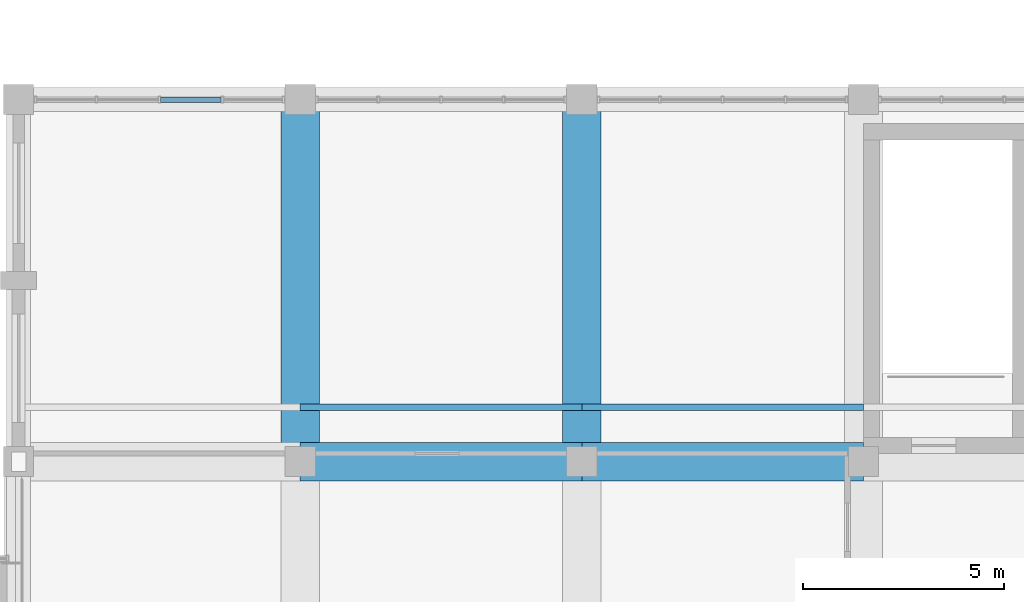
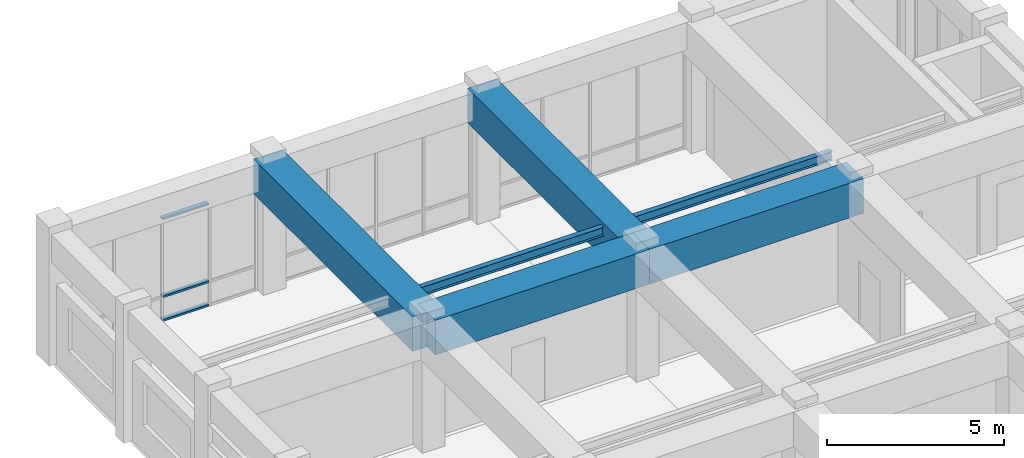
# One storey, part 56 of 99: 5 members, 4 beams, 1 element without a shape of its own.
"""IFC4 building model written with IfcOpenShell, lengths in metres."""

from ifc_helpers import new_model, si_unit, direction, frame, origin, origin_2d, place, context, subcontext, project, spatial, rectangle, hollow_rectangle, i_section, extrude, material, layer, layer_set, material_profile, profile_set, type_object, element, aggregate, save


model = new_model("IFC4")

# Units and contexts
model_context = context("Model", 3, precision=1e-05, world=origin(), true_north=direction((0.0, 1.0)))
body_context = subcontext(model_context, "Body", "Model", "MODEL_VIEW")
ifc_project = project(units=[si_unit("LENGTHUNIT", "METRE"), si_unit("AREAUNIT", "SQUARE_METRE"), si_unit("VOLUMEUNIT", "CUBIC_METRE"), si_unit("PLANEANGLEUNIT", "RADIAN"), si_unit("MASSUNIT", "GRAM", prefix="KILO")], contexts=[model_context])

# Site, building, storey
site_placement = place(None, origin())
site = spatial("IfcSite", under=ifc_project, at=site_placement, CompositionType="ELEMENT")
building_placement = place(site_placement, origin())
building = spatial("IfcBuilding", under=site, at=building_placement, Name="Ventoquebrada Cableway Terminal", CompositionType="ELEMENT")
storey_placement = place(building_placement, frame((0.0, 0.0, 9.60009765625)))
storey = spatial("IfcBuildingStorey", under=building, at=storey_placement, Name="L02", CompositionType="ELEMENT", Elevation=9.60009765625)

# Beams
ifc_material_1 = material(Name="Concrete C40/50", Category="concrete")
ifc_material_profile_1 = material_profile(ifc_material_1, rectangle(XDim=0.949951171875, YDim=1.199951171875, at=origin_2d()), Name="RC-BM-950X1200")
ifc_profile_set_1 = profile_set([ifc_material_profile_1], Name="Concrete C40/50")
beam_type = type_object("IfcBeamType", Name="BM-RC06", PredefinedType="BEAM", material=ifc_profile_set_1)
for number, where, z_axis, x_axis, name in (
    (1, (102.0, 95.0, 3.929931640625), (1.0, 0.0, 0.0), (0.0, 1.0, 0.0), "Primary frame girder FBM-0673"),
    (2, (109.0, 95.0, 3.929931640625), (1.0, 0.0, 0.0), (0.0, 1.0, 0.0), "Primary frame girder FBM-0674"),
):
    element("IfcBeam", number, at=place(storey_placement, frame(where, z_axis=z_axis, x_axis=x_axis)), inside=storey, type_object=beam_type, Name=name, PredefinedType="BEAM", context=body_context, shape_type="SweptSolid", body=[
        extrude(rectangle(XDim=0.949951171875, YDim=1.199951171875, at=origin_2d()), origin(), (0.0, 0.0, 1.0), 7.0),
    ])
for number, where, z_axis, x_axis, name in (
    (3, (102.0, 95.0, 3.929931640625), (0.0, 1.0, 0.0), (-1.0, 0.0, 0.0), "Primary frame girder FBM-0688"),
    (4, (109.0, 95.0, 3.929931640625), (0.0, 1.0, 0.0), (-1.0, 0.0, 0.0), "Primary frame girder FBM-0691"),
):
    element("IfcBeam", number, at=place(storey_placement, frame(where, z_axis=z_axis, x_axis=x_axis)), inside=storey, type_object=beam_type, Name=name, PredefinedType="BEAM", context=body_context, shape_type="SweptSolid", body=[
        extrude(rectangle(XDim=0.949951171875, YDim=1.199951171875, at=origin_2d()), origin(), (0.0, 0.0, 1.0), 9.0),
    ])

# Curtain wall, members
ifc_material_2 = material(Name="Anodized thermally-broken aluminium", Category="aluminium")
ifc_layer = layer(ifc_material_2, 0.159912109375)
ifc_layer_set = layer_set([ifc_layer], Name="Anodized thermally-broken aluminium")
curtain_wall_type = type_object("IfcCurtainWallType", Name="CW-T29", PredefinedType="USERDEFINED", material=ifc_layer_set)
curtain_wall_placement = place(storey_placement, origin())
curtain_wall = element("IfcCurtainWall", 5, at=curtain_wall_placement, inside=storey, type_object=curtain_wall_type, Name="Unitised glazed curtain wall CW-069", ObjectType="UNITISED CURTAIN WALL", PredefinedType="USERDEFINED")
ifc_material_profile_2 = material_profile(ifc_material_2, hollow_rectangle(XDim=0.06494140625, YDim=0.139892578125, WallThickness=0.00390625, at=origin_2d()), Name="CW-TRN-65X140")
ifc_profile_set_2 = profile_set([ifc_material_profile_2], Name="Anodized thermally-broken aluminium")
member_type_1 = type_object("IfcMemberType", Name="CWT-01", PredefinedType="USERDEFINED", material=ifc_profile_set_2)
member_1_placement = place(storey_placement, frame((100.031982421875, 104.0, 0.034912109375), z_axis=(-1.0, 0.0, 0.0), x_axis=(0.0, 0.0, 1.0)))
member_1 = element("IfcMember", 6, at=member_1_placement, type_object=member_type_1, Name="Curtain wall transom FTR-0931", ObjectType="TRANSOM", PredefinedType="USERDEFINED", context=body_context, shape_type="SweptSolid", body=[
    extrude(hollow_rectangle(XDim=0.06494140625, YDim=0.139892578125, WallThickness=0.00390625, at=origin_2d()), origin(), (0.0, 0.0, 1.0), 1.50390625),
])
member_2_placement = place(storey_placement, frame((100.031982421875, 104.0, 0.849853515625), z_axis=(-1.0, 0.0, 0.0), x_axis=(0.0, 0.0, 1.0)))
member_2 = element("IfcMember", 7, at=member_2_placement, type_object=member_type_1, Name="Curtain wall transom FTR-0932", ObjectType="TRANSOM", PredefinedType="USERDEFINED", context=body_context, shape_type="SweptSolid", body=[
    extrude(hollow_rectangle(XDim=0.06494140625, YDim=0.139892578125, WallThickness=0.00390625, at=origin_2d()), origin(), (0.0, 0.0, 1.0), 1.50390625),
])
member_3_placement = place(storey_placement, frame((100.031982421875, 104.0, 3.539794921875), z_axis=(-1.0, 0.0, 0.0), x_axis=(0.0, 0.0, 1.0)))
member_3 = element("IfcMember", 8, at=member_3_placement, type_object=member_type_1, Name="Curtain wall transom FTR-0933", ObjectType="TRANSOM", PredefinedType="USERDEFINED", context=body_context, shape_type="SweptSolid", body=[
    extrude(hollow_rectangle(XDim=0.06494140625, YDim=0.139892578125, WallThickness=0.00390625, at=origin_2d()), origin(), (0.0, 0.0, 1.0), 1.50390625),
])
aggregate(curtain_wall, [member_1, member_2, member_3])

# Members
ifc_material_3 = material(Name="Steel ASTM A992 Grade 50", Category="steel")
ifc_material_profile_3 = material_profile(ifc_material_3, i_section(OverallWidth=0.1650390625, OverallDepth=0.31005859375, WebThickness=0.005859375, FlangeThickness=0.009765625, at=origin_2d()), Name="W12X26")
ifc_profile_set_3 = profile_set([ifc_material_profile_3], Name="Steel ASTM A992 Grade 50")
member_type_2 = type_object("IfcMemberType", Name="PUR-RF05", PredefinedType="PURLIN", material=ifc_profile_set_3)
for number, where, z_axis, x_axis, name in (
    (9, (102.0, 96.35009765625, 4.260009765625), (1.0, 0.0, 0.0), (0.0, 1.0, 0.0), "Roof support purlin RPR-0498"),
    (10, (109.0, 96.35009765625, 4.260009765625), (1.0, 0.0, 0.0), (0.0, 1.0, 0.0), "Roof support purlin RPR-0501"),
):
    element("IfcMember", number, at=place(storey_placement, frame(where, z_axis=z_axis, x_axis=x_axis)), inside=storey, type_object=member_type_2, Name=name, PredefinedType="PURLIN", context=body_context, shape_type="SweptSolid", body=[
        extrude(i_section(OverallWidth=0.1650390625, OverallDepth=0.31005859375, WebThickness=0.005859375, FlangeThickness=0.009765625, at=origin_2d()), origin(), (0.0, 0.0, 1.0), 7.0),
    ])

save(model, "model.ifc")
